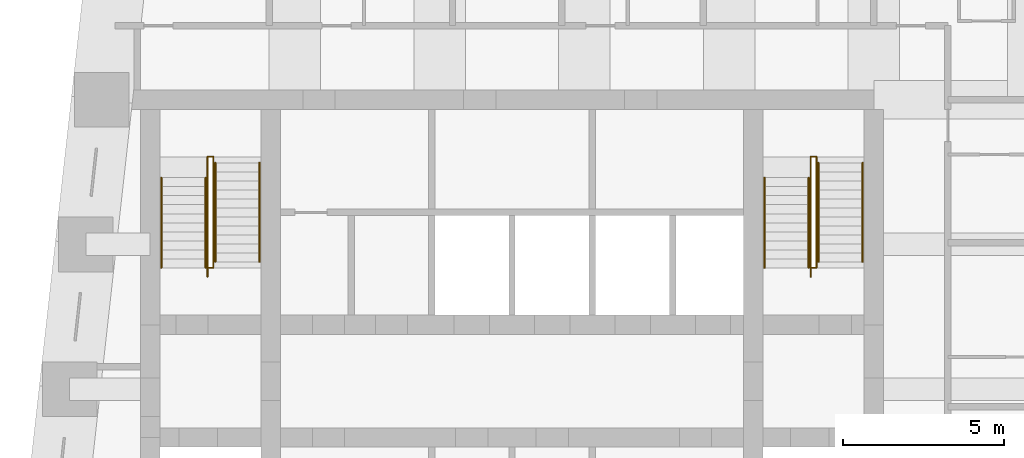
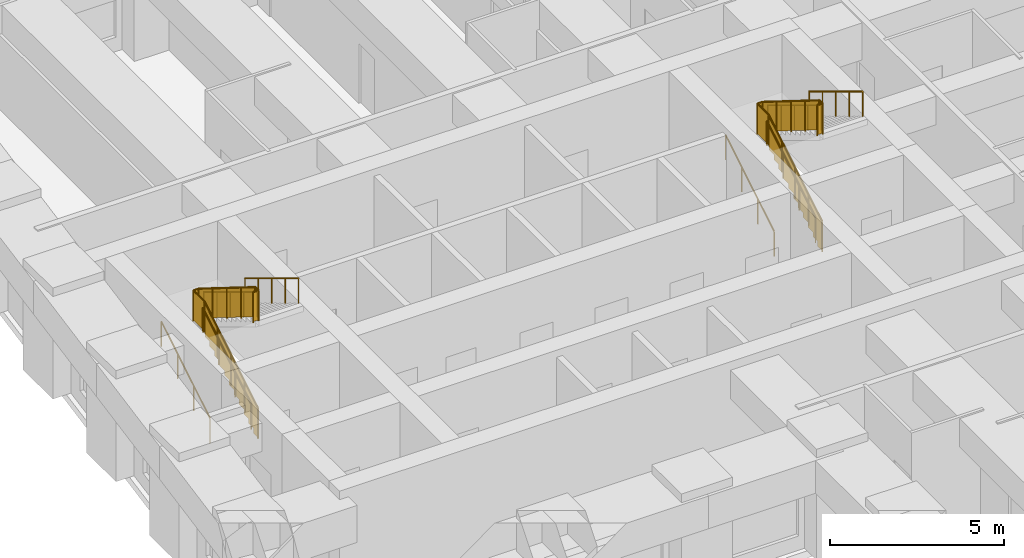
# One storey, part 7 of 7: 12 railings.
"""IFC4 building model written with IfcOpenShell, lengths in metres."""

import ifcopenshell
import ifcopenshell.guid

model = None  # the IFC model being written
_history = None  # IfcOwnerHistory: only IFC2X3 demands one
_inside = {}  # id of a spatial element -> (the spatial element, [elements in it])
_under = {}  # id of a project, library or spatial element -> (it, [spatial elements below it])
_declared = {}  # id of a project -> (the project, [libraries it declares])
_typed = {}  # id of a type object -> (the type object, [elements of that type])
_made_of = {}  # id of a material, layer set ... -> (it, [elements and type objects made of it])


def new_model(schema):
    """Start an empty IFC model of exactly this schema.

    Asked for "IFC4X3", IfcOpenShell would pick the latest addendum, in which some entities
    have other attributes; the version numbers below select the first issue.
    IFC2X3 requires an IfcOwnerHistory on every rooted entity: one is made here for all.
    """
    global model, _history
    if schema == "IFC4X3":
        model = ifcopenshell.file(schema_version=(4, 3, 0, 0))
    else:
        model = ifcopenshell.file(schema=schema)
    _inside.clear()
    _under.clear()
    _declared.clear()
    _typed.clear()
    _made_of.clear()
    _history = None
    if model.schema == "IFC2X3":
        org = make("IfcOrganization", Name="unknown")
        user = make(
            "IfcPersonAndOrganization",
            ThePerson=make("IfcPerson", FamilyName="unknown"),
            TheOrganization=org,
        )
        app = make(
            "IfcApplication",
            ApplicationDeveloper=org,
            Version="unknown",
            ApplicationFullName="unknown",
            ApplicationIdentifier="unknown",
        )
        _history = make(
            "IfcOwnerHistory",
            OwningUser=user,
            OwningApplication=app,
            ChangeAction="ADDED",
            CreationDate=0,
        )
    return model


def make(cls, **values):
    """One entity of the class cls with the attributes given. An attribute that is None is left unset."""
    return model.create_entity(
        cls, **{name: value for name, value in values.items() if value is not None}
    )


def rooted(cls, **values):
    """An entity with a GlobalId (a new one), such as an element, a storey or a relation."""
    return make(cls, GlobalId=ifcopenshell.guid.new(), OwnerHistory=_history, **values)


def si_unit(unit_type, name, prefix=None):
    """IfcSIUnit, for example si_unit("LENGTHUNIT", "METRE", prefix="MILLI")."""
    return make("IfcSIUnit", UnitType=unit_type, Prefix=prefix, Name=name)


def assignment(units):
    """IfcUnitAssignment: the units of a project."""
    return None if units is None else make("IfcUnitAssignment", Units=units)


def point(xyz):
    """IfcCartesianPoint."""
    return None if xyz is None else make("IfcCartesianPoint", Coordinates=xyz)


def direction(xyz):
    """IfcDirection."""
    return None if xyz is None else make("IfcDirection", DirectionRatios=xyz)


def frame(location, z_axis=None, x_axis=None):
    """IfcAxis2Placement3D, a coordinate frame: its origin and axes. An axis left out is left unset."""
    return make(
        "IfcAxis2Placement3D",
        Location=point(location),
        Axis=direction(z_axis),
        RefDirection=direction(x_axis),
    )


def frame_2d(location, x_axis=None):
    """IfcAxis2Placement2D, a coordinate frame in the plane: its origin and x axis."""
    return make(
        "IfcAxis2Placement2D", Location=point(location), RefDirection=direction(x_axis)
    )


def origin():
    """The frame at (0, 0, 0) with its axes left unset."""
    return frame((0.0, 0.0, 0.0))


def origin_2d():
    """The frame at (0, 0) in the plane with its x axis left unset."""
    return frame_2d((0.0, 0.0))


def place(relative_to, where):
    """IfcLocalPlacement: puts the frame where relative to a parent placement (None: the world)."""
    return make(
        "IfcLocalPlacement", PlacementRelTo=relative_to, RelativePlacement=where
    )


def context(
    kind, dimensions, precision=None, world=None, true_north=None, identifier=None
):
    """IfcGeometricRepresentationContext, for example the 3D "Model" context."""
    return make(
        "IfcGeometricRepresentationContext",
        ContextIdentifier=identifier,
        ContextType=kind,
        CoordinateSpaceDimension=dimensions,
        Precision=precision,
        WorldCoordinateSystem=world,
        TrueNorth=true_north,
    )


def subcontext(parent, identifier, kind, view, scale=None):
    """IfcGeometricRepresentationSubContext, for example "Body" below "Model"."""
    return make(
        "IfcGeometricRepresentationSubContext",
        ContextIdentifier=identifier,
        ContextType=kind,
        ParentContext=parent,
        TargetScale=scale,
        TargetView=view,
    )


def project(units=None, contexts=None):
    """IfcProject with its units and contexts."""
    return rooted(
        "IfcProject",
        Name="project",
        RepresentationContexts=contexts,
        UnitsInContext=assignment(units),
    )


def spatial(cls, under=None, at=None, **own):
    """A site, building, storey or space (cls), placed at a placement, below another one or the project."""
    s = rooted(cls, ObjectPlacement=at, **own)
    if under is not None:
        _under.setdefault(under.id(), (under, []))[1].append(s)
    return s


def polyline(points):
    """IfcPolyline through the points."""
    return make("IfcPolyline", Points=[point(p) for p in points])


def profile(cls, at=None, kind="AREA", **sizes):
    """A parametric profile (cls). Its sizes go by their IFC names, for example OverallWidth=200.0."""
    return make(cls, ProfileType=kind, Position=at, **sizes)


def circle(**sizes):
    """IfcCircleProfileDef."""
    return profile("IfcCircleProfileDef", **sizes)


def outline(outer, holes=None, kind="AREA"):
    """IfcArbitraryClosedProfileDef: a profile drawn as a closed curve; with holes, ...WithVoids."""
    if holes is None:
        return make("IfcArbitraryClosedProfileDef", ProfileType=kind, OuterCurve=outer)
    return make(
        "IfcArbitraryProfileDefWithVoids",
        ProfileType=kind,
        OuterCurve=outer,
        InnerCurves=holes,
    )


def extrude(swept, where, along, depth):
    """IfcExtrudedAreaSolid: the profile swept, set in the frame where, extruded along a direction by depth."""
    return make(
        "IfcExtrudedAreaSolid",
        SweptArea=swept,
        Position=where,
        ExtrudedDirection=direction(along),
        Depth=depth,
    )


def shape(context_of_items, identifier, shape_type, items):
    """IfcShapeRepresentation: the items that make up one representation, for example the "Body"."""
    return make(
        "IfcShapeRepresentation",
        ContextOfItems=context_of_items,
        RepresentationIdentifier=identifier,
        RepresentationType=shape_type,
        Items=items,
    )


def material(Name=None, Category=None):
    """IfcMaterial."""
    return make("IfcMaterial", Name=Name, Category=Category)


def made_of(thing, what):
    """Note that an element or type object is made of a material, layer set ...; save() writes the relation."""
    if what is not None:
        _made_of.setdefault(what.id(), (what, []))[1].append(thing)
    return thing


def type_object(cls, material=None, **own):
    """A type object (cls), such as IfcWallType, which elements share."""
    return made_of(rooted(cls, **own), material)


def element(
    cls,
    number,
    at=None,
    inside=None,
    cuts=None,
    type_object=None,
    material=None,
    context=None,
    identifier="Body",
    shape_type=None,
    held_by="IfcProductDefinitionShape",
    body=None,
    shapes=None,
    **own,
):
    """One element of the class cls, such as IfcWall. Its Tag is "e" and its number.

    at: its placement. inside: the storey or other place that contains it. cuts: it is an
    opening in that element (IfcRelVoidsElement). A single representation is given by context,
    identifier, shape_type and body (its items); several are given by shapes. held_by: the class
    of the entity that holds the representations. save() writes the other relations.
    """
    e = rooted(cls, Tag="e%d" % number, ObjectPlacement=at, **own)
    if body is not None:
        shapes = [shape(context, identifier, shape_type, body)]
    if shapes is not None:
        e.Representation = make(held_by, Representations=shapes)
    if inside is not None:
        _inside.setdefault(inside.id(), (inside, []))[1].append(e)
    if cuts is not None:
        rooted(
            "IfcRelVoidsElement", RelatingBuildingElement=cuts, RelatedOpeningElement=e
        )
    if type_object is not None:
        _typed.setdefault(type_object.id(), (type_object, []))[1].append(e)
    return made_of(e, material)


def aggregate(whole, parts):
    """IfcRelAggregates: a whole, such as a stair, and the parts it consists of."""
    return rooted("IfcRelAggregates", RelatingObject=whole, RelatedObjects=parts)


def save(model, path):
    """Write the relations noted so far, then the file.

    IfcRelAggregates (storeys below a building ...), IfcRelContainedInSpatialStructure (elements
    in a storey), IfcRelDefinesByType, IfcRelAssociatesMaterial and IfcRelDeclares: one each for
    every whole, place, type object, material and project.
    """
    for whole, parts in _under.values():
        aggregate(whole, parts)
    for where, things in _inside.values():
        rooted(
            "IfcRelContainedInSpatialStructure",
            RelatedElements=things,
            RelatingStructure=where,
        )
    for kind, things in _typed.values():
        rooted("IfcRelDefinesByType", RelatedObjects=things, RelatingType=kind)
    for what, things in _made_of.values():
        rooted("IfcRelAssociatesMaterial", RelatedObjects=things, RelatingMaterial=what)
    for by, libraries in _declared.values():
        rooted("IfcRelDeclares", RelatingContext=by, RelatedDefinitions=libraries)
    model.write(path)


model = new_model("IFC4")

# Units and contexts
model_context = context("Model", 3, precision=1e-05, world=origin(), true_north=direction((0.0, 1.0)))
body_context = subcontext(model_context, "Body", "Model", "MODEL_VIEW")
ifc_project = project(units=[si_unit("LENGTHUNIT", "METRE"), si_unit("AREAUNIT", "SQUARE_METRE"), si_unit("VOLUMEUNIT", "CUBIC_METRE"), si_unit("PLANEANGLEUNIT", "RADIAN"), si_unit("MASSUNIT", "GRAM", prefix="KILO")], contexts=[model_context])

# Site, building, storey
site_placement = place(None, origin())
site = spatial("IfcSite", under=ifc_project, at=site_placement, CompositionType="ELEMENT")
building_placement = place(site_placement, origin())
building = spatial("IfcBuilding", under=site, at=building_placement, Name="Kilele Tower Hotel", CompositionType="ELEMENT")
storey_placement = place(building_placement, frame((0.0, 0.0, 240.800048828125)))
storey = spatial("IfcBuildingStorey", under=building, at=storey_placement, Name="L62", CompositionType="ELEMENT", Elevation=240.800048828125)

# Railings
ifc_material_1 = material(Name="Steel handrail", Category="steel")
railing_type_1 = type_object("IfcRailingType", Name="Handrail 900", PredefinedType="HANDRAIL", material=ifc_material_1)
for number, where, name in (
    (1, (13.85009765625, 21.77490234375, 0.16943359375), "Handrail ST1 flight 1"),
    (2, (15.22509765625, 21.77490234375, 0.16943359375), "Handrail ST1 flight 1"),
):
    element("IfcRailing", number, at=place(storey_placement, frame(where)), inside=storey, type_object=railing_type_1, Name=name, PredefinedType="HANDRAIL", context=body_context, shape_type="SweptSolid", body=[
        extrude(circle(Radius=0.02490234375, at=origin_2d()), frame((0.0, 0.0, 0.875), z_axis=(0.0, 0.855360072898, 0.518033923302), x_axis=(-1.0, 0.0, 0.0)), (0.0, 0.0, 1.0), 3.2734375),
        extrude(circle(Radius=0.02001953125, at=origin_2d()), origin(), (0.0, 0.0, 1.0), 0.849853515625),
        extrude(circle(Radius=0.02001953125, at=origin_2d()), frame((0.0, 0.933349609375, 0.565185546875)), (0.0, 0.0, 1.0), 0.849853515625),
        extrude(circle(Radius=0.02001953125, at=origin_2d()), frame((0.0, 1.86669921875, 1.130615234375)), (0.0, 0.0, 1.0), 0.849853515625),
        extrude(circle(Radius=0.02001953125, at=origin_2d()), frame((0.0, 2.800048828125, 1.69580078125)), (0.0, 0.0, 1.0), 0.849853515625),
    ])
for number, where, name in (
    (3, (15.52490234375, 25.0400390625, 2.03466796875), "Handrail ST1 flight 2"),
    (4, (16.89990234375, 25.0400390625, 2.03466796875), "Handrail ST1 flight 2"),
):
    element("IfcRailing", number, at=place(storey_placement, frame(where)), inside=storey, type_object=railing_type_1, Name=name, PredefinedType="HANDRAIL", context=body_context, shape_type="SweptSolid", body=[
        extrude(circle(Radius=0.02490234375, at=origin_2d()), frame((0.0, 0.0, 0.875), z_axis=(0.0, -0.855379917629, 0.518001154937), x_axis=(1.0, 0.0, 0.0)), (0.0, 0.0, 1.0), 3.600830078125),
        extrude(circle(Radius=0.02001953125, at=origin_2d()), origin(), (0.0, 0.0, 1.0), 0.849853515625),
        extrude(circle(Radius=0.02001953125, at=origin_2d()), frame((0.0, -0.77001953125, 0.46630859375)), (0.0, 0.0, 1.0), 0.849853515625),
        extrude(circle(Radius=0.02001953125, at=origin_2d()), frame((0.0, -1.5400390625, 0.9326171875)), (0.0, 0.0, 1.0), 0.849853515625),
        extrude(circle(Radius=0.02001953125, at=origin_2d()), frame((0.0, -2.31005859375, 1.39892578125)), (0.0, 0.0, 1.0), 0.849853515625),
        extrude(circle(Radius=0.02001953125, at=origin_2d()), frame((0.0, -3.080078125, 1.865234375)), (0.0, 0.0, 1.0), 0.849853515625),
    ])
for number, where, name in (
    (5, (32.60009765625, 21.77490234375, 0.16943359375), "Handrail ST2 flight 1"),
    (6, (33.97509765625, 21.77490234375, 0.16943359375), "Handrail ST2 flight 1"),
):
    element("IfcRailing", number, at=place(storey_placement, frame(where)), inside=storey, type_object=railing_type_1, Name=name, PredefinedType="HANDRAIL", context=body_context, shape_type="SweptSolid", body=[
        extrude(circle(Radius=0.02490234375, at=origin_2d()), frame((0.0, 0.0, 0.875), z_axis=(0.0, 0.855360072898, 0.518033923302), x_axis=(-1.0, 0.0, 0.0)), (0.0, 0.0, 1.0), 3.2734375),
        extrude(circle(Radius=0.02001953125, at=origin_2d()), origin(), (0.0, 0.0, 1.0), 0.849853515625),
        extrude(circle(Radius=0.02001953125, at=origin_2d()), frame((0.0, 0.933349609375, 0.565185546875)), (0.0, 0.0, 1.0), 0.849853515625),
        extrude(circle(Radius=0.02001953125, at=origin_2d()), frame((0.0, 1.86669921875, 1.130615234375)), (0.0, 0.0, 1.0), 0.849853515625),
        extrude(circle(Radius=0.02001953125, at=origin_2d()), frame((0.0, 2.800048828125, 1.69580078125)), (0.0, 0.0, 1.0), 0.849853515625),
    ])
for number, where, name in (
    (7, (34.27490234375, 25.0400390625, 2.03466796875), "Handrail ST2 flight 2"),
    (8, (35.64990234375, 25.0400390625, 2.03466796875), "Handrail ST2 flight 2"),
):
    element("IfcRailing", number, at=place(storey_placement, frame(where)), inside=storey, type_object=railing_type_1, Name=name, PredefinedType="HANDRAIL", context=body_context, shape_type="SweptSolid", body=[
        extrude(circle(Radius=0.02490234375, at=origin_2d()), frame((0.0, 0.0, 0.875), z_axis=(0.0, -0.855379917629, 0.518001154937), x_axis=(1.0, 0.0, 0.0)), (0.0, 0.0, 1.0), 3.600830078125),
        extrude(circle(Radius=0.02001953125, at=origin_2d()), origin(), (0.0, 0.0, 1.0), 0.849853515625),
        extrude(circle(Radius=0.02001953125, at=origin_2d()), frame((0.0, -0.77001953125, 0.46630859375)), (0.0, 0.0, 1.0), 0.849853515625),
        extrude(circle(Radius=0.02001953125, at=origin_2d()), frame((0.0, -1.5400390625, 0.9326171875)), (0.0, 0.0, 1.0), 0.849853515625),
        extrude(circle(Radius=0.02001953125, at=origin_2d()), frame((0.0, -2.31005859375, 1.39892578125)), (0.0, 0.0, 1.0), 0.849853515625),
        extrude(circle(Radius=0.02001953125, at=origin_2d()), frame((0.0, -3.080078125, 1.865234375)), (0.0, 0.0, 1.0), 0.849853515625),
    ])
ifc_material_2 = material(Name="Steel guard", Category="steel")
railing_type_2 = type_object("IfcRailingType", Name="Stair guard 1100", PredefinedType="GUARDRAIL", material=ifc_material_2)
railing_1_placement = place(storey_placement, frame((15.284912109375, 21.4951171875, 0.0)))
element("IfcRailing", 9, at=railing_1_placement, inside=storey, type_object=railing_type_2, Name="Stair well guard ST1 flight 1", PredefinedType="GUARDRAIL", context=body_context, shape_type="SweptSolid", body=[
    extrude(circle(Radius=0.02490234375, at=origin_2d()), frame((0.0, 0.0, 1.0751953125), z_axis=(0.0, 0.855361723277, 0.518031198243), x_axis=(-1.0, 0.0, 0.0)), (0.0, 0.0, 1.0), 3.6005859375),
    extrude(circle(Radius=0.02490234375, at=origin_2d()), frame((0.0, 3.079833984375, 2.9404296875), z_axis=(0.0, 1.0, 0.0), x_axis=(-1.0, 0.0, 0.0)), (0.0, 0.0, 1.0), 0.650146484375),
    extrude(circle(Radius=0.02490234375, at=origin_2d()), frame((0.0, 3.72998046875, 2.9404296875), z_axis=(1.0, 0.0, 0.0), x_axis=(0.0, 1.0, 0.0)), (0.0, 0.0, 1.0), 0.18017578125),
    extrude(circle(Radius=0.02490234375, at=origin_2d()), origin(), (0.0, 0.0, 1.0), 1.050048828125),
    extrude(circle(Radius=0.02490234375, at=origin_2d()), frame((0.0, 0.77001953125, 0.46630859375)), (0.0, 0.0, 1.0), 1.050048828125),
    extrude(circle(Radius=0.02490234375, at=origin_2d()), frame((0.0, 1.5400390625, 0.9326171875)), (0.0, 0.0, 1.0), 1.050048828125),
    extrude(circle(Radius=0.02490234375, at=origin_2d()), frame((0.0, 2.309814453125, 1.39892578125)), (0.0, 0.0, 1.0), 1.050048828125),
    extrude(circle(Radius=0.02490234375, at=origin_2d()), frame((0.0, 3.079833984375, 1.865234375)), (0.0, 0.0, 1.0), 1.050048828125),
    extrude(circle(Radius=0.02490234375, at=origin_2d()), frame((0.0, 3.72998046875, 1.865234375)), (0.0, 0.0, 1.0), 1.050048828125),
    extrude(circle(Radius=0.02490234375, at=origin_2d()), frame((0.18017578125, 3.72998046875, 1.865234375)), (0.0, 0.0, 1.0), 1.050048828125),
    extrude(outline(polyline([(0.012451171875, 0.030029296875), (0.25, 0.030029296875), (0.25, 0.19970703125), (0.530029296875, 0.19970703125), (0.530029296875, 0.369140625), (0.809814453125, 0.369140625), (0.809814453125, 0.538818359375), (1.08984375, 0.538818359375), (1.08984375, 0.708251953125), (1.369873046875, 0.708251953125), (1.369873046875, 0.8779296875), (1.64990234375, 0.8779296875), (1.64990234375, 1.04736328125), (1.929931640625, 1.04736328125), (1.929931640625, 1.217041015625), (2.2099609375, 1.217041015625), (2.2099609375, 1.386474609375), (2.48974609375, 1.386474609375), (2.48974609375, 1.55615234375), (2.769775390625, 1.55615234375), (2.769775390625, 1.7255859375), (3.0498046875, 1.7255859375), (3.0498046875, 1.895263671875), (3.0673828125, 1.895263671875), (3.0673828125, 2.903564453125), (0.012451171875, 1.053466796875), (0.012451171875, 0.030029296875)])), frame((-0.005859375, 0.0, 0.0), z_axis=(1.0, 0.0, 0.0), x_axis=(0.0, 1.0, 0.0)), (0.0, 0.0, 1.0), 0.011962890625),
    extrude(outline(polyline([(0.012451171875, 0.030029296875), (0.6376953125, 0.030029296875), (0.6376953125, 1.050048828125), (0.012451171875, 1.050048828125), (0.012451171875, 0.030029296875)])), frame((-0.005859375, 3.079833984375, 1.865234375), z_axis=(1.0, 0.0, 0.0), x_axis=(0.0, 1.0, 0.0)), (0.0, 0.0, 1.0), 0.011962890625),
    extrude(outline(polyline([(0.012451171875, 0.030029296875), (0.18017578125, 0.030029296875), (0.18017578125, 1.050048828125), (0.012451171875, 1.050048828125), (0.012451171875, 0.030029296875)])), frame((0.0, 3.73583984375, 1.865234375), z_axis=(0.0, -1.0, 0.0), x_axis=(1.0, 0.0, 0.0)), (0.0, 0.0, 1.0), 0.011962890625),
])
railing_2_placement = place(storey_placement, frame((15.465087890625, 25.22509765625, 1.865234375)))
element("IfcRailing", 10, at=railing_2_placement, inside=storey, type_object=railing_type_2, Name="Stair well guard ST1 flight 2", PredefinedType="GUARDRAIL", context=body_context, shape_type="SweptSolid", body=[
    extrude(circle(Radius=0.02490234375, at=origin_2d()), frame((0.0, 0.0, 1.0751953125), z_axis=(0.0, -0.848703446432, 0.528869038624), x_axis=(1.0, 0.0, 0.0)), (0.0, 0.0, 1.0), 3.84716796875),
    extrude(circle(Radius=0.02490234375, at=origin_2d()), frame((0.0, -3.26513671875, 3.10986328125), z_axis=(0.0, -1.0, 0.0), x_axis=(1.0, 0.0, 0.0)), (0.0, 0.0, 1.0), 0.18505859375),
    extrude(circle(Radius=0.02490234375, at=origin_2d()), frame((0.0, -3.4501953125, 3.10986328125), z_axis=(-1.0, 0.0, 0.0), x_axis=(0.0, -1.0, 0.0)), (0.0, 0.0, 1.0), 0.18017578125),
    extrude(circle(Radius=0.02490234375, at=origin_2d()), origin(), (0.0, 0.0, 1.0), 1.050048828125),
    extrude(circle(Radius=0.02490234375, at=origin_2d()), frame((0.0, -0.81640625, 0.5087890625)), (0.0, 0.0, 1.0), 1.050048828125),
    extrude(circle(Radius=0.02490234375, at=origin_2d()), frame((0.0, -1.632568359375, 1.017333984375)), (0.0, 0.0, 1.0), 1.050048828125),
    extrude(circle(Radius=0.02490234375, at=origin_2d()), frame((0.0, -2.44873046875, 1.52587890625)), (0.0, 0.0, 1.0), 1.050048828125),
    extrude(circle(Radius=0.02490234375, at=origin_2d()), frame((0.0, -3.26513671875, 2.03466796875)), (0.0, 0.0, 1.0), 1.050048828125),
    extrude(circle(Radius=0.02490234375, at=origin_2d()), frame((0.0, -3.4501953125, 2.03466796875)), (0.0, 0.0, 1.0), 1.050048828125),
    extrude(circle(Radius=0.02490234375, at=origin_2d()), frame((-0.18017578125, -3.4501953125, 2.03466796875)), (0.0, 0.0, 1.0), 1.050048828125),
    extrude(outline(polyline([(0.0, 0.030029296875), (3.252685546875, 2.056884765625), (3.252685546875, 3.072509765625), (0.0, 1.045654296875), (0.0, 0.030029296875)])), frame((0.005859375, 0.0, 0.0), z_axis=(-1.0, 0.0, 0.0), x_axis=(0.0, -1.0, 0.0)), (0.0, 0.0, 1.0), 0.011962890625),
    extrude(outline(polyline([(0.012451171875, 0.030029296875), (0.172607421875, 0.030029296875), (0.172607421875, 1.050048828125), (0.012451171875, 1.050048828125), (0.012451171875, 0.030029296875)])), frame((0.005859375, -3.26513671875, 2.03466796875), z_axis=(-1.0, 0.0, 0.0), x_axis=(0.0, -1.0, 0.0)), (0.0, 0.0, 1.0), 0.011962890625),
    extrude(outline(polyline([(0.012451171875, 0.030029296875), (0.18017578125, 0.030029296875), (0.18017578125, 1.050048828125), (0.012451171875, 1.050048828125), (0.012451171875, 0.030029296875)])), frame((0.0, -3.4560546875, 2.03466796875), z_axis=(0.0, 1.0, 0.0), x_axis=(-1.0, 0.0, 0.0)), (0.0, 0.0, 1.0), 0.011962890625),
])
railing_3_placement = place(storey_placement, frame((34.034912109375, 21.4951171875, 0.0)))
element("IfcRailing", 11, at=railing_3_placement, inside=storey, type_object=railing_type_2, Name="Stair well guard ST2 flight 1", PredefinedType="GUARDRAIL", context=body_context, shape_type="SweptSolid", body=[
    extrude(circle(Radius=0.02490234375, at=origin_2d()), frame((0.0, 0.0, 1.0751953125), z_axis=(0.0, 0.855361723277, 0.518031198243), x_axis=(-1.0, 0.0, 0.0)), (0.0, 0.0, 1.0), 3.6005859375),
    extrude(circle(Radius=0.02490234375, at=origin_2d()), frame((0.0, 3.079833984375, 2.9404296875), z_axis=(0.0, 1.0, 0.0), x_axis=(-1.0, 0.0, 0.0)), (0.0, 0.0, 1.0), 0.650146484375),
    extrude(circle(Radius=0.02490234375, at=origin_2d()), frame((0.0, 3.72998046875, 2.9404296875), z_axis=(1.0, 0.0, 0.0), x_axis=(0.0, 1.0, 0.0)), (0.0, 0.0, 1.0), 0.18017578125),
    extrude(circle(Radius=0.02490234375, at=origin_2d()), origin(), (0.0, 0.0, 1.0), 1.050048828125),
    extrude(circle(Radius=0.02490234375, at=origin_2d()), frame((0.0, 0.77001953125, 0.46630859375)), (0.0, 0.0, 1.0), 1.050048828125),
    extrude(circle(Radius=0.02490234375, at=origin_2d()), frame((0.0, 1.5400390625, 0.9326171875)), (0.0, 0.0, 1.0), 1.050048828125),
    extrude(circle(Radius=0.02490234375, at=origin_2d()), frame((0.0, 2.309814453125, 1.39892578125)), (0.0, 0.0, 1.0), 1.050048828125),
    extrude(circle(Radius=0.02490234375, at=origin_2d()), frame((0.0, 3.079833984375, 1.865234375)), (0.0, 0.0, 1.0), 1.050048828125),
    extrude(circle(Radius=0.02490234375, at=origin_2d()), frame((0.0, 3.72998046875, 1.865234375)), (0.0, 0.0, 1.0), 1.050048828125),
    extrude(circle(Radius=0.02490234375, at=origin_2d()), frame((0.18017578125, 3.72998046875, 1.865234375)), (0.0, 0.0, 1.0), 1.050048828125),
    extrude(outline(polyline([(0.012451171875, 0.030029296875), (0.25, 0.030029296875), (0.25, 0.19970703125), (0.530029296875, 0.19970703125), (0.530029296875, 0.369140625), (0.809814453125, 0.369140625), (0.809814453125, 0.538818359375), (1.08984375, 0.538818359375), (1.08984375, 0.708251953125), (1.369873046875, 0.708251953125), (1.369873046875, 0.8779296875), (1.64990234375, 0.8779296875), (1.64990234375, 1.04736328125), (1.929931640625, 1.04736328125), (1.929931640625, 1.217041015625), (2.2099609375, 1.217041015625), (2.2099609375, 1.386474609375), (2.48974609375, 1.386474609375), (2.48974609375, 1.55615234375), (2.769775390625, 1.55615234375), (2.769775390625, 1.7255859375), (3.0498046875, 1.7255859375), (3.0498046875, 1.895263671875), (3.0673828125, 1.895263671875), (3.0673828125, 2.903564453125), (0.012451171875, 1.053466796875), (0.012451171875, 0.030029296875)])), frame((-0.005859375, 0.0, 0.0), z_axis=(1.0, 0.0, 0.0), x_axis=(0.0, 1.0, 0.0)), (0.0, 0.0, 1.0), 0.011962890625),
    extrude(outline(polyline([(0.012451171875, 0.030029296875), (0.6376953125, 0.030029296875), (0.6376953125, 1.050048828125), (0.012451171875, 1.050048828125), (0.012451171875, 0.030029296875)])), frame((-0.005859375, 3.079833984375, 1.865234375), z_axis=(1.0, 0.0, 0.0), x_axis=(0.0, 1.0, 0.0)), (0.0, 0.0, 1.0), 0.011962890625),
    extrude(outline(polyline([(0.012451171875, 0.030029296875), (0.18017578125, 0.030029296875), (0.18017578125, 1.050048828125), (0.012451171875, 1.050048828125), (0.012451171875, 0.030029296875)])), frame((0.0, 3.73583984375, 1.865234375), z_axis=(0.0, -1.0, 0.0), x_axis=(1.0, 0.0, 0.0)), (0.0, 0.0, 1.0), 0.011962890625),
])
railing_4_placement = place(storey_placement, frame((34.215087890625, 25.22509765625, 1.865234375)))
element("IfcRailing", 12, at=railing_4_placement, inside=storey, type_object=railing_type_2, Name="Stair well guard ST2 flight 2", PredefinedType="GUARDRAIL", context=body_context, shape_type="SweptSolid", body=[
    extrude(circle(Radius=0.02490234375, at=origin_2d()), frame((0.0, 0.0, 1.0751953125), z_axis=(0.0, -0.848703446432, 0.528869038624), x_axis=(1.0, 0.0, 0.0)), (0.0, 0.0, 1.0), 3.84716796875),
    extrude(circle(Radius=0.02490234375, at=origin_2d()), frame((0.0, -3.26513671875, 3.10986328125), z_axis=(0.0, -1.0, 0.0), x_axis=(1.0, 0.0, 0.0)), (0.0, 0.0, 1.0), 0.18505859375),
    extrude(circle(Radius=0.02490234375, at=origin_2d()), frame((0.0, -3.4501953125, 3.10986328125), z_axis=(-1.0, 0.0, 0.0), x_axis=(0.0, -1.0, 0.0)), (0.0, 0.0, 1.0), 0.18017578125),
    extrude(circle(Radius=0.02490234375, at=origin_2d()), origin(), (0.0, 0.0, 1.0), 1.050048828125),
    extrude(circle(Radius=0.02490234375, at=origin_2d()), frame((0.0, -0.81640625, 0.5087890625)), (0.0, 0.0, 1.0), 1.050048828125),
    extrude(circle(Radius=0.02490234375, at=origin_2d()), frame((0.0, -1.632568359375, 1.017333984375)), (0.0, 0.0, 1.0), 1.050048828125),
    extrude(circle(Radius=0.02490234375, at=origin_2d()), frame((0.0, -2.44873046875, 1.52587890625)), (0.0, 0.0, 1.0), 1.050048828125),
    extrude(circle(Radius=0.02490234375, at=origin_2d()), frame((0.0, -3.26513671875, 2.03466796875)), (0.0, 0.0, 1.0), 1.050048828125),
    extrude(circle(Radius=0.02490234375, at=origin_2d()), frame((0.0, -3.4501953125, 2.03466796875)), (0.0, 0.0, 1.0), 1.050048828125),
    extrude(circle(Radius=0.02490234375, at=origin_2d()), frame((-0.18017578125, -3.4501953125, 2.03466796875)), (0.0, 0.0, 1.0), 1.050048828125),
    extrude(outline(polyline([(0.0, 0.030029296875), (3.252685546875, 2.056884765625), (3.252685546875, 3.072509765625), (0.0, 1.045654296875), (0.0, 0.030029296875)])), frame((0.005859375, 0.0, 0.0), z_axis=(-1.0, 0.0, 0.0), x_axis=(0.0, -1.0, 0.0)), (0.0, 0.0, 1.0), 0.011962890625),
    extrude(outline(polyline([(0.012451171875, 0.030029296875), (0.172607421875, 0.030029296875), (0.172607421875, 1.050048828125), (0.012451171875, 1.050048828125), (0.012451171875, 0.030029296875)])), frame((0.005859375, -3.26513671875, 2.03466796875), z_axis=(-1.0, 0.0, 0.0), x_axis=(0.0, -1.0, 0.0)), (0.0, 0.0, 1.0), 0.011962890625),
    extrude(outline(polyline([(0.012451171875, 0.030029296875), (0.18017578125, 0.030029296875), (0.18017578125, 1.050048828125), (0.012451171875, 1.050048828125), (0.012451171875, 0.030029296875)])), frame((0.0, -3.4560546875, 2.03466796875), z_axis=(0.0, 1.0, 0.0), x_axis=(-1.0, 0.0, 0.0)), (0.0, 0.0, 1.0), 0.011962890625),
])

save(model, "model.ifc")
